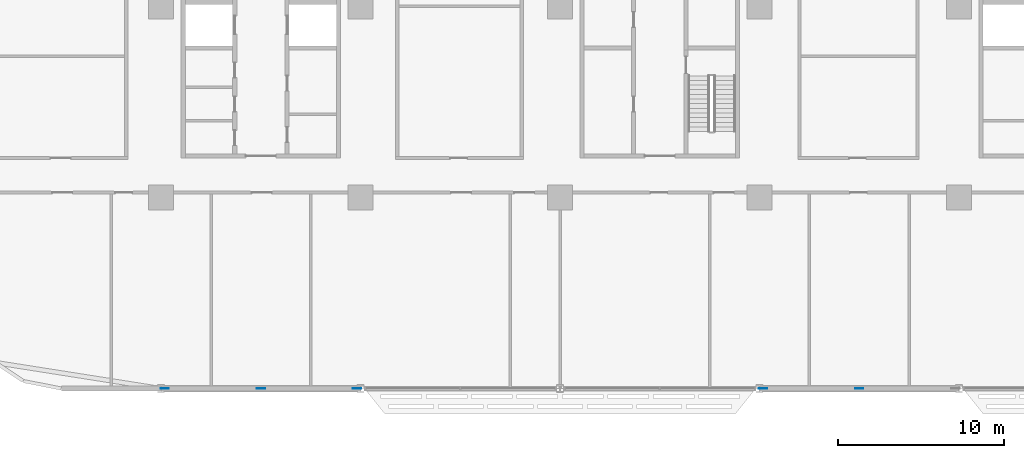
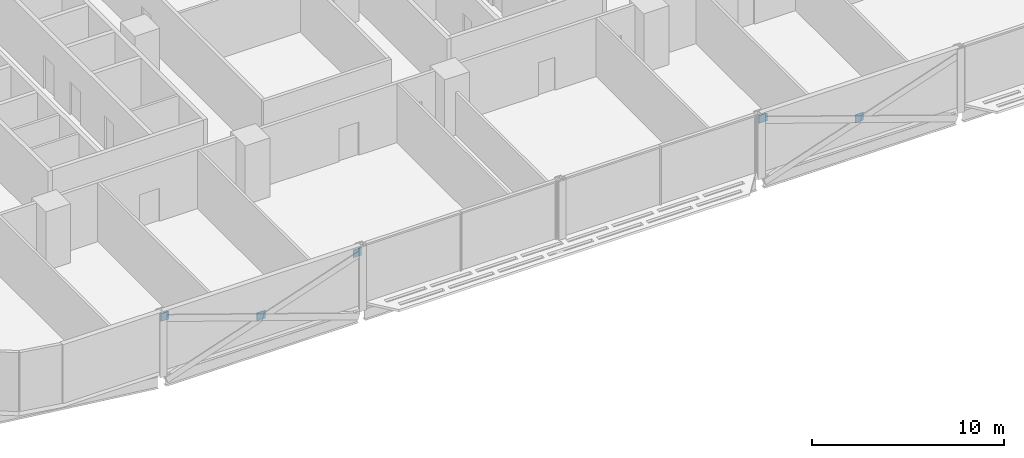
# One storey, part 19 of 29: 5 discrete accessories.
"""IFC4 building model written with IfcOpenShell, lengths in metres."""

from ifc_helpers import new_model, si_unit, direction, frame, origin, origin_2d, place, context, subcontext, project, spatial, rectangle, extrude, material, layer, layer_set, type_object, element, save


model = new_model("IFC4")

# Units and contexts
model_context = context("Model", 3, precision=1e-05, world=origin(), true_north=direction((0.0, 1.0)))
body_context = subcontext(model_context, "Body", "Model", "MODEL_VIEW")
ifc_project = project(units=[si_unit("LENGTHUNIT", "METRE"), si_unit("AREAUNIT", "SQUARE_METRE"), si_unit("VOLUMEUNIT", "CUBIC_METRE"), si_unit("PLANEANGLEUNIT", "RADIAN"), si_unit("MASSUNIT", "GRAM", prefix="KILO")], contexts=[model_context])

# Site, building, storey
site_placement = place(None, origin())
site = spatial("IfcSite", under=ifc_project, at=site_placement, CompositionType="ELEMENT")
building_placement = place(site_placement, origin())
building = spatial("IfcBuilding", under=site, at=building_placement, Name="Mahtab Terrace Research Tower", CompositionType="ELEMENT")
storey_placement = place(building_placement, frame((0.0, 0.0, 76.10009765625)))
storey = spatial("IfcBuildingStorey", under=building, at=storey_placement, Name="L17", CompositionType="ELEMENT", Elevation=76.10009765625)

# Discrete accessories
ifc_material = material(Name="Steel ASTM A992 Gr 50", Category="steel")
ifc_layer = layer(ifc_material, 0.030029296875)
ifc_layer_set = layer_set([ifc_layer], Name="Gusset plate 500x500x30")
discrete_accessory_type = type_object("IfcDiscreteAccessoryType", Name="Gusset plate 500x500x30", PredefinedType="USERDEFINED", material=ifc_layer_set)
for number, where, z_axis, x_axis, name in (
    (1, (-29.787841796875, -23.0, 3.04931640625), (0.0, 0.0, 1.0), (1.0, 0.0, 0.0), "Gusset plate"),
    (2, (-24.0, -23.0, 1.076416015625), (0.0, 0.0, 1.0), (1.0, 0.0, 0.0), "Gusset plate"),
    (3, (-18.212158203125, -23.0, 3.04931640625), (0.0, 0.0, 1.0), (1.0, 0.0, 0.0), "Gusset plate"),
    (4, (6.212158203125, -23.0, 3.04931640625), (0.0, 0.0, 1.0), (1.0, 0.0, 0.0), "Gusset plate"),
    (5, (12.0, -23.0, 1.076416015625), (0.0, 0.0, 1.0), (1.0, 0.0, 0.0), "Gusset plate"),
):
    element("IfcDiscreteAccessory", number, at=place(storey_placement, frame(where, z_axis=z_axis, x_axis=x_axis)), inside=storey, type_object=discrete_accessory_type, Name=name, ObjectType="GUSSET PLATE", PredefinedType="USERDEFINED", context=body_context, shape_type="SweptSolid", body=[
        extrude(rectangle(XDim=0.5, YDim=0.030029296875, at=origin_2d()), origin(), (0.0, 0.0, 1.0), 0.5),
    ])

save(model, "model.ifc")
